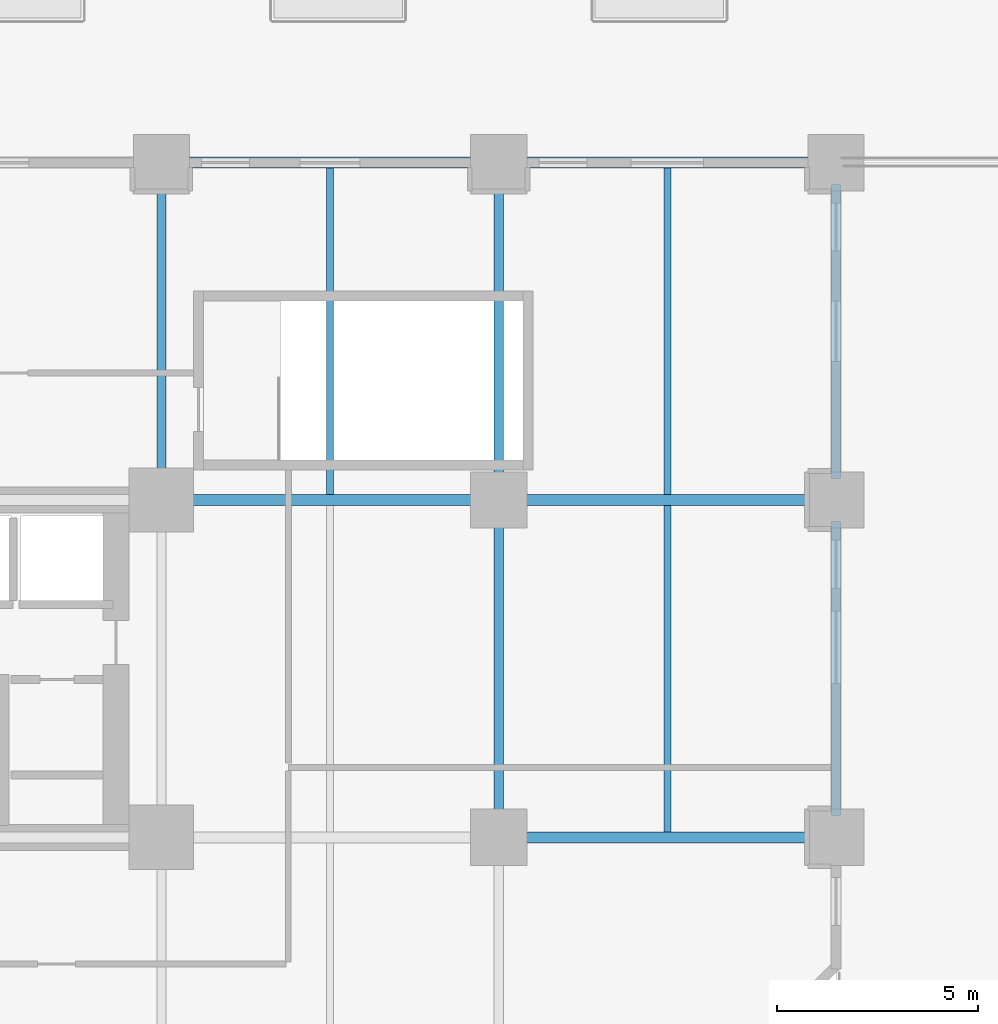
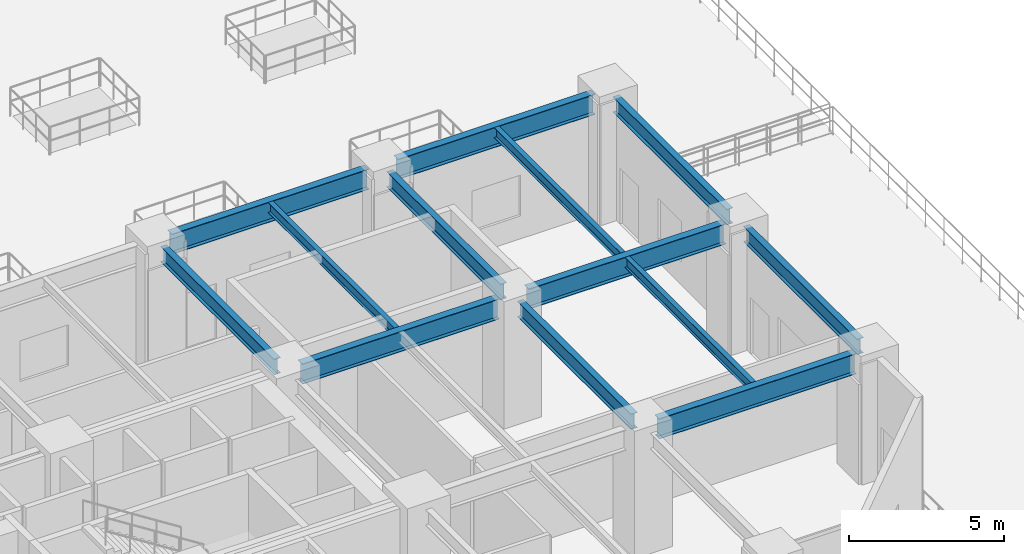
# One storey, part 7 of 21: 13 beams.
"""IFC4 building model written with IfcOpenShell, lengths in metres."""

from ifc_helpers import new_model, si_unit, direction, frame, origin, origin_2d, place, context, subcontext, project, spatial, i_section, extrude, material, material_profile, profile_set, type_object, element, save


model = new_model("IFC4")

# Units and contexts
model_context = context("Model", 3, precision=1e-05, world=origin(), true_north=direction((0.0, 1.0)))
body_context = subcontext(model_context, "Body", "Model", "MODEL_VIEW")
ifc_project = project(units=[si_unit("LENGTHUNIT", "METRE"), si_unit("AREAUNIT", "SQUARE_METRE"), si_unit("VOLUMEUNIT", "CUBIC_METRE"), si_unit("PLANEANGLEUNIT", "RADIAN"), si_unit("MASSUNIT", "GRAM", prefix="KILO")], contexts=[model_context])

# Site, building, storey
site_placement = place(None, origin())
site = spatial("IfcSite", under=ifc_project, at=site_placement, CompositionType="ELEMENT")
building_placement = place(site_placement, origin())
building = spatial("IfcBuilding", under=site, at=building_placement, Name="Nerrivon Quay Data Exchange", CompositionType="ELEMENT")
storey_placement = place(building_placement, frame((0.0, 0.0, 19.800048828125)))
storey = spatial("IfcBuildingStorey", under=building, at=storey_placement, Name="L04", CompositionType="ELEMENT", Elevation=19.800048828125)

# Beams
ifc_material = material(Name="Steel Grade 350", Category="steel")
ifc_material_profile_1 = material_profile(ifc_material, i_section(OverallWidth=0.22900390625, OverallDepth=0.612060546875, WebThickness=0.011962890625, FlangeThickness=0.01953125, FilletRadius=0.013916015625, at=origin_2d()), Name="610UB125")
ifc_profile_set_1 = profile_set([ifc_material_profile_1], Name="Steel Grade 350")
beam_type_1 = type_object("IfcBeamType", Name="BM-G1-610UB125", PredefinedType="BEAM", material=ifc_profile_set_1)
beam_1_placement = place(storey_placement, frame((33.60009765625, 17.340087890625, 4.4189453125), z_axis=(0.0, 1.0, 0.0), x_axis=(-1.0, 0.0, 0.0)))
element("IfcBeam", 1, at=beam_1_placement, inside=storey, type_object=beam_type_1, Name="L04 NS Girder X=33.6 (16.8..25.2)", PredefinedType="BEAM", context=body_context, shape_type="SweptSolid", body=[
    extrude(i_section(OverallWidth=0.22900390625, OverallDepth=0.612060546875, WebThickness=0.011962890625, FlangeThickness=0.01953125, FilletRadius=0.013916015625, at=origin_2d()), origin(), (0.0, 0.0, 1.0), 7.31982421875),
])
beam_2_placement = place(storey_placement, frame((42.0, 8.93994140625, 4.4189453125), z_axis=(0.0, 1.0, 0.0), x_axis=(-1.0, 0.0, 0.0)))
element("IfcBeam", 2, at=beam_2_placement, inside=storey, type_object=beam_type_1, Name="L04 NS Girder X=42.0 (8.4..16.8)", PredefinedType="BEAM", context=body_context, shape_type="SweptSolid", body=[
    extrude(i_section(OverallWidth=0.22900390625, OverallDepth=0.612060546875, WebThickness=0.011962890625, FlangeThickness=0.01953125, FilletRadius=0.013916015625, at=origin_2d()), origin(), (0.0, 0.0, 1.0), 7.320068359375),
])
beam_3_placement = place(storey_placement, frame((42.0, 17.340087890625, 4.4189453125), z_axis=(0.0, 1.0, 0.0), x_axis=(-1.0, 0.0, 0.0)))
element("IfcBeam", 3, at=beam_3_placement, inside=storey, type_object=beam_type_1, Name="L04 NS Girder X=42.0 (16.8..25.2)", PredefinedType="BEAM", context=body_context, shape_type="SweptSolid", body=[
    extrude(i_section(OverallWidth=0.22900390625, OverallDepth=0.612060546875, WebThickness=0.011962890625, FlangeThickness=0.01953125, FilletRadius=0.013916015625, at=origin_2d()), origin(), (0.0, 0.0, 1.0), 7.31982421875),
])
beam_4_placement = place(storey_placement, frame((50.39990234375, 8.93994140625, 4.4189453125), z_axis=(0.0, 1.0, 0.0), x_axis=(-1.0, 0.0, 0.0)))
element("IfcBeam", 4, at=beam_4_placement, inside=storey, type_object=beam_type_1, Name="L04 NS Girder X=50.4 (8.4..16.8)", PredefinedType="BEAM", context=body_context, shape_type="SweptSolid", body=[
    extrude(i_section(OverallWidth=0.22900390625, OverallDepth=0.612060546875, WebThickness=0.011962890625, FlangeThickness=0.01953125, FilletRadius=0.013916015625, at=origin_2d()), origin(), (0.0, 0.0, 1.0), 7.320068359375),
])
beam_5_placement = place(storey_placement, frame((50.39990234375, 17.340087890625, 4.4189453125), z_axis=(0.0, 1.0, 0.0), x_axis=(-1.0, 0.0, 0.0)))
element("IfcBeam", 5, at=beam_5_placement, inside=storey, type_object=beam_type_1, Name="L04 NS Girder X=50.4 (16.8..25.2)", PredefinedType="BEAM", context=body_context, shape_type="SweptSolid", body=[
    extrude(i_section(OverallWidth=0.22900390625, OverallDepth=0.612060546875, WebThickness=0.011962890625, FlangeThickness=0.01953125, FilletRadius=0.013916015625, at=origin_2d()), origin(), (0.0, 0.0, 1.0), 7.31982421875),
])
ifc_material_profile_2 = material_profile(ifc_material, i_section(OverallWidth=0.27490234375, OverallDepth=0.800048828125, WebThickness=0.010009765625, FlangeThickness=0.02001953125, at=origin_2d()), Name="800WB146")
ifc_profile_set_2 = profile_set([ifc_material_profile_2], Name="Steel Grade 350")
beam_type_2 = type_object("IfcBeamType", Name="BM-G8-800WB146", PredefinedType="BEAM", material=ifc_profile_set_2)
for number, where, z_axis, x_axis, name in (
    (6, (42.5400390625, 8.39990234375, 4.324951171875), (1.0, 0.0, 0.0), (0.0, 1.0, 0.0), "L04 EW Girder Y=8.4 (42.0..50.4)"),
    (7, (34.139892578125, 16.800048828125, 4.324951171875), (1.0, 0.0, 0.0), (0.0, 1.0, 0.0), "L04 EW Girder Y=16.8 (33.6..42.0)"),
    (8, (42.5400390625, 16.800048828125, 4.324951171875), (1.0, 0.0, 0.0), (0.0, 1.0, 0.0), "L04 EW Girder Y=16.8 (42.0..50.4)"),
    (9, (34.139892578125, 25.199951171875, 4.324951171875), (1.0, 0.0, 0.0), (0.0, 1.0, 0.0), "L04 EW Girder Y=25.2 (33.6..42.0)"),
    (10, (42.5400390625, 25.199951171875, 4.324951171875), (1.0, 0.0, 0.0), (0.0, 1.0, 0.0), "L04 EW Girder Y=25.2 (42.0..50.4)"),
):
    element("IfcBeam", number, at=place(storey_placement, frame(where, z_axis=z_axis, x_axis=x_axis)), inside=storey, type_object=beam_type_2, Name=name, PredefinedType="BEAM", context=body_context, shape_type="SweptSolid", body=[
        extrude(i_section(OverallWidth=0.27490234375, OverallDepth=0.800048828125, WebThickness=0.010009765625, FlangeThickness=0.02001953125, at=origin_2d()), origin(), (0.0, 0.0, 1.0), 7.320068359375),
    ])
ifc_material_profile_3 = material_profile(ifc_material, i_section(OverallWidth=0.177978515625, OverallDepth=0.403076171875, WebThickness=0.007568359375, FlangeThickness=0.010986328125, FilletRadius=0.011474609375, at=origin_2d()), Name="410UB53.7")
ifc_profile_set_3 = profile_set([ifc_material_profile_3], Name="Steel Grade 350")
beam_type_3 = type_object("IfcBeamType", Name="BM-J2-410UB54", PredefinedType="JOIST", material=ifc_profile_set_3)
for number, where, z_axis, x_axis, name in (
    (11, (37.800048828125, 16.9375, 4.5234375), (0.0, 1.0, 0.0), (-1.0, 0.0, 0.0), "L04 Secondary Joist X=37.8 (16.8..25.2)"),
    (12, (46.199951171875, 8.53759765625, 4.5234375), (0.0, 1.0, 0.0), (-1.0, 0.0, 0.0), "L04 Secondary Joist X=46.2 (8.4..16.8)"),
    (13, (46.199951171875, 16.9375, 4.5234375), (0.0, 1.0, 0.0), (-1.0, 0.0, 0.0), "L04 Secondary Joist X=46.2 (16.8..25.2)"),
):
    element("IfcBeam", number, at=place(storey_placement, frame(where, z_axis=z_axis, x_axis=x_axis)), inside=storey, type_object=beam_type_3, Name=name, PredefinedType="JOIST", context=body_context, shape_type="SweptSolid", body=[
        extrude(i_section(OverallWidth=0.177978515625, OverallDepth=0.403076171875, WebThickness=0.007568359375, FlangeThickness=0.010986328125, FilletRadius=0.011474609375, at=origin_2d()), origin(), (0.0, 0.0, 1.0), 8.125),
    ])

save(model, "model.ifc")
